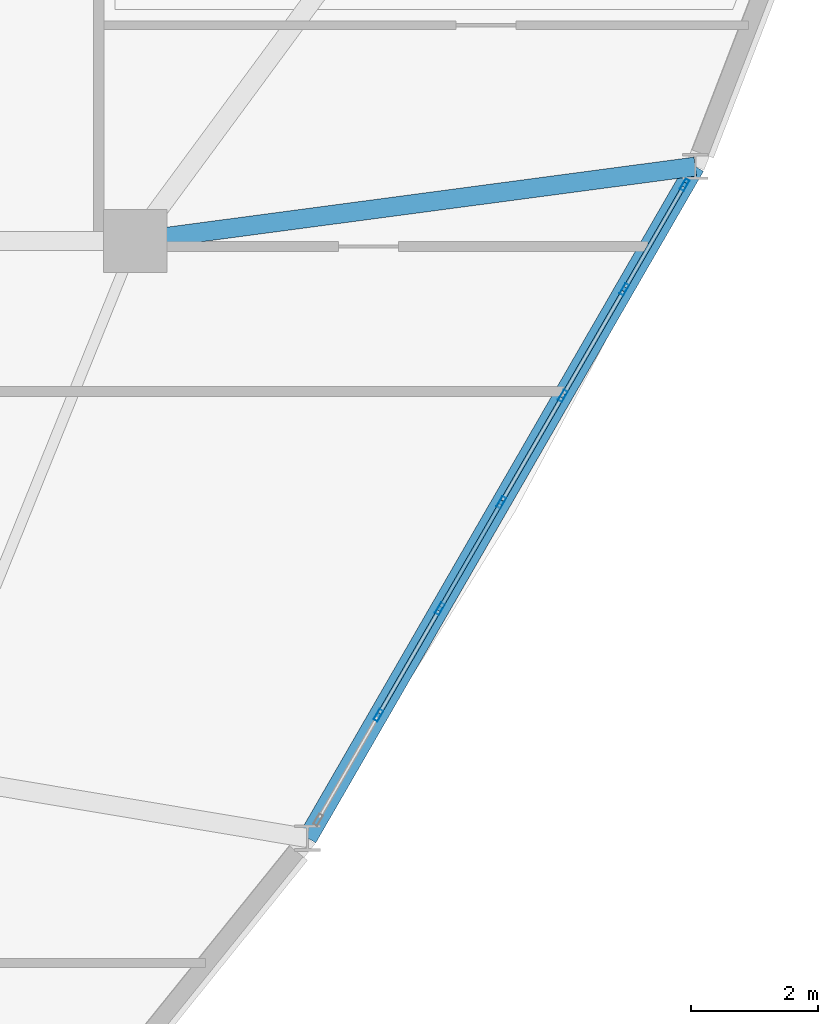
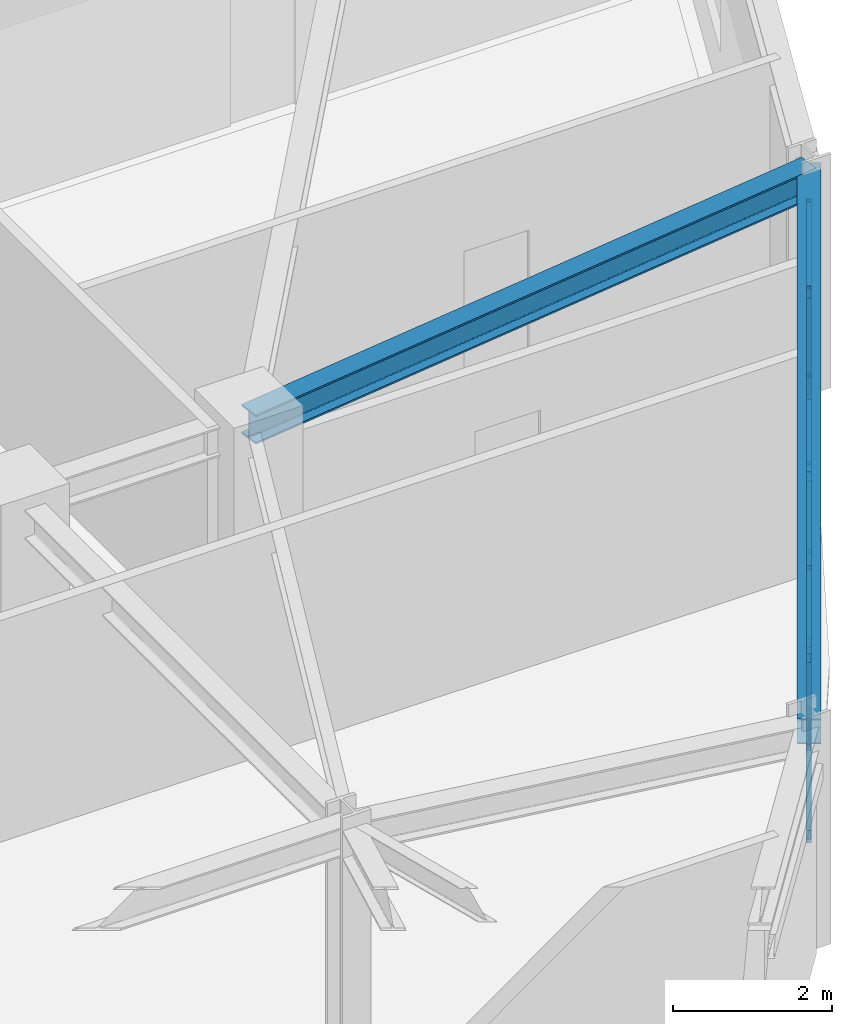
# One storey, part 7 of 16: 18 members, 2 beams, 1 element without a shape of its own.
"""IFC4 building model written with IfcOpenShell, lengths in metres."""

from ifc_helpers import new_model, si_unit, derived_unit, direction, frame, origin, origin_2d, place, context, subcontext, project, spatial, hollow_rectangle, i_section, extrude, source, transform, mapped, material, layer, layer_set, material_profile, profile_set, type_object, element, aggregate, save


model = new_model("IFC4")

# Units and contexts
model_context = context("Model", 3, precision=1e-05, world=origin(), true_north=direction((0.0, 1.0)))
body_context = subcontext(model_context, "Body", "Model", "MODEL_VIEW")
ifc_project = project(units=[si_unit("LENGTHUNIT", "METRE"), si_unit("AREAUNIT", "SQUARE_METRE"), si_unit("VOLUMEUNIT", "CUBIC_METRE"), si_unit("PLANEANGLEUNIT", "RADIAN"), si_unit("MASSUNIT", "GRAM", prefix="KILO"), derived_unit("THERMALTRANSMITTANCEUNIT", [(si_unit("POWERUNIT", "WATT"), 1), (si_unit("LENGTHUNIT", "METRE"), -2), (si_unit("THERMODYNAMICTEMPERATUREUNIT", "KELVIN"), -1)])], contexts=[model_context])

# Site, building, storey
site_placement = place(None, origin())
site = spatial("IfcSite", under=ifc_project, at=site_placement, CompositionType="ELEMENT")
building_placement = place(site_placement, origin())
building = spatial("IfcBuilding", under=site, at=building_placement, Name="Korsvarv Bourse and Concert Hall", CompositionType="ELEMENT")
storey_placement = place(building_placement, frame((0.0, 0.0, 220.199951171875)))
storey = spatial("IfcBuildingStorey", under=building, at=storey_placement, Name="L57", CompositionType="ELEMENT", Elevation=220.199951171875)

# Beams
ifc_material_1 = material(Name="Steel S355", Category="steel")
ifc_material_profile_1 = material_profile(ifc_material_1, i_section(OverallWidth=0.300048828125, OverallDepth=0.389892578125, WebThickness=0.010986328125, FlangeThickness=0.01904296875, FilletRadius=0.02099609375, at=origin_2d()), Name="HEA 400")
ifc_profile_set_1 = profile_set([ifc_material_profile_1], Name="Steel S355")
beam_type_1 = type_object("IfcBeamType", Name="BM-HEA400", PredefinedType="BEAM", material=ifc_profile_set_1)
shared_shape_1 = source(origin(), body_context, "Body", "SweptSolid", [
    extrude(i_section(OverallWidth=0.300048828125, OverallDepth=0.389892578125, WebThickness=0.010986328125, FlangeThickness=0.01904296875, FilletRadius=0.02099609375, at=origin_2d()), origin(), (0.0, 0.0, 1.0), 12.238037109375),
])
beam_1_placement = place(storey_placement, frame((50.5205078125, 22.975830078125, 3.215087890625), z_axis=(0.499994725302, 0.866028449111, 0.0), x_axis=(-0.866028449111, 0.499994725302, 0.0)))
element("IfcBeam", 1, at=beam_1_placement, inside=storey, type_object=beam_type_1, Name="L57 beam B-11", PredefinedType="BEAM", context=body_context, shape_type="MappedRepresentation", body=[
    mapped(shared_shape_1, transform((0.0, 0.0, 0.0), scale=1.0)),
])
ifc_material_profile_2 = material_profile(ifc_material_1, i_section(OverallWidth=0.300048828125, OverallDepth=0.449951171875, WebThickness=0.013916015625, FlangeThickness=0.02587890625, FilletRadius=0.02099609375, at=origin_2d()), Name="HEB 450")
ifc_profile_set_2 = profile_set([ifc_material_profile_2], Name="Steel S355")
beam_type_2 = type_object("IfcBeamType", Name="BM-HEB450", PredefinedType="SPANDREL", material=ifc_profile_set_2)
shared_shape_2 = source(origin(), body_context, "Body", "SweptSolid", [
    extrude(i_section(OverallWidth=0.300048828125, OverallDepth=0.449951171875, WebThickness=0.013916015625, FlangeThickness=0.02587890625, FilletRadius=0.02099609375, at=origin_2d()), origin(), (0.0, 0.0, 1.0), 8.9169921875),
])
beam_2_placement = place(storey_placement, frame((56.639404296875, 33.57421875, 3.18505859375), z_axis=(-0.99129043861, -0.131693835544, 0.0), x_axis=(0.131693835544, -0.99129043861, 0.0)))
element("IfcBeam", 2, at=beam_2_placement, inside=storey, type_object=beam_type_2, Name="L57 beam B-08", PredefinedType="SPANDREL", context=body_context, shape_type="MappedRepresentation", body=[
    mapped(shared_shape_2, transform((0.0, 0.0, 0.0), scale=1.0)),
])

# Curtain wall, members
ifc_material_2 = material(Name="Anodised aluminium and triple low-E glazing", Category="glass")
ifc_layer = layer(ifc_material_2, 0.199951171875)
ifc_layer_set = layer_set([ifc_layer], Name="Anodised aluminium and triple low-E glazing")
curtain_wall_type = type_object("IfcCurtainWallType", Name="CW-SYS-3", PredefinedType="NOTDEFINED", material=ifc_layer_set)
curtain_wall_placement = place(storey_placement, origin())
curtain_wall = element("IfcCurtainWall", 3, at=curtain_wall_placement, inside=storey, type_object=curtain_wall_type, Name="L57 CW3 curtain wall CW-L57-F11", PredefinedType="NOTDEFINED")
ifc_material_3 = material(Name="Extruded aluminium EN AW-6063 T66", Category="aluminium")
ifc_material_profile_3 = material_profile(ifc_material_3, hollow_rectangle(XDim=0.070068359375, YDim=0.18994140625, WallThickness=0.0048828125, at=origin_2d()), Name="ALU-M 70x190")
ifc_profile_set_3 = profile_set([ifc_material_profile_3], Name="Extruded aluminium EN AW-6063 T66")
member_type_1 = type_object("IfcMemberType", Name="CWM-190", PredefinedType="MULLION", material=ifc_profile_set_3)
shared_shape_3 = source(origin(), body_context, "Body", "SweptSolid", [
    extrude(hollow_rectangle(XDim=0.070068359375, YDim=0.18994140625, WallThickness=0.0048828125, at=origin_2d()), origin(), (0.0, 0.0, 1.0), 3.02001953125),
])
member_1_placement = place(storey_placement, frame((51.6396484375, 24.914306640625, 0.0), z_axis=(0.0, 0.0, 1.0), x_axis=(-0.866029815681, 0.499992358293, 0.0)))
member_1 = element("IfcMember", 4, at=member_1_placement, type_object=member_type_1, Name="CW3 mullion 2", PredefinedType="MULLION", context=body_context, shape_type="MappedRepresentation", body=[
    mapped(shared_shape_3, transform((0.0, 0.0, 0.0), scale=1.0)),
])
member_2_placement = place(storey_placement, frame((52.60986328125, 26.5947265625, 0.0), z_axis=(0.0, 0.0, 1.0), x_axis=(-0.866029815681, 0.499992358293, 0.0)))
member_2 = element("IfcMember", 5, at=member_2_placement, type_object=member_type_1, Name="CW3 mullion 3", PredefinedType="MULLION", context=body_context, shape_type="MappedRepresentation", body=[
    mapped(shared_shape_3, transform((0.0, 0.0, 0.0), scale=1.0)),
])
member_3_placement = place(storey_placement, frame((53.580078125, 28.275146484375, 0.0), z_axis=(0.0, 0.0, 1.0), x_axis=(-0.866029815681, 0.499992358293, 0.0)))
member_3 = element("IfcMember", 6, at=member_3_placement, type_object=member_type_1, Name="CW3 mullion 4", PredefinedType="MULLION", context=body_context, shape_type="MappedRepresentation", body=[
    mapped(shared_shape_3, transform((0.0, 0.0, 0.0), scale=1.0)),
])
member_4_placement = place(storey_placement, frame((54.55029296875, 29.955322265625, 0.0), z_axis=(0.0, 0.0, 1.0), x_axis=(-0.866029815681, 0.499992358293, 0.0)))
member_4 = element("IfcMember", 7, at=member_4_placement, type_object=member_type_1, Name="CW3 mullion 5", PredefinedType="MULLION", context=body_context, shape_type="MappedRepresentation", body=[
    mapped(shared_shape_3, transform((0.0, 0.0, 0.0), scale=1.0)),
])
member_5_placement = place(storey_placement, frame((55.520263671875, 31.6357421875, 0.0), z_axis=(0.0, 0.0, 1.0), x_axis=(-0.866029815681, 0.499992358293, 0.0)))
member_5 = element("IfcMember", 8, at=member_5_placement, type_object=member_type_1, Name="CW3 mullion 6", PredefinedType="MULLION", context=body_context, shape_type="MappedRepresentation", body=[
    mapped(shared_shape_3, transform((0.0, 0.0, 0.0), scale=1.0)),
])
member_6_placement = place(storey_placement, frame((56.472900390625, 33.285888671875, 0.0), z_axis=(0.0, 0.0, 1.0), x_axis=(-0.866029815681, 0.499992358293, 0.0)))
member_6 = element("IfcMember", 9, at=member_6_placement, type_object=member_type_1, Name="CW3 mullion 7", PredefinedType="MULLION", context=body_context, shape_type="MappedRepresentation", body=[
    mapped(shared_shape_3, transform((0.0, 0.0, 0.0), scale=1.0)),
])
ifc_material_profile_4 = material_profile(ifc_material_3, hollow_rectangle(XDim=0.06494140625, YDim=0.139892578125, WallThickness=0.00390625, at=origin_2d()), Name="ALU-T 65x140")
ifc_profile_set_4 = profile_set([ifc_material_profile_4], Name="Extruded aluminium EN AW-6063 T66")
member_type_2 = type_object("IfcMemberType", Name="CWT-140", PredefinedType="USERDEFINED", material=ifc_profile_set_4)
shared_shape_4 = source(origin(), body_context, "Body", "SweptSolid", [
    extrude(hollow_rectangle(XDim=0.06494140625, YDim=0.139892578125, WallThickness=0.00390625, at=origin_2d()), origin(), (0.0, 0.0, 1.0), 1.83544921875),
])
member_7_placement = place(storey_placement, frame((55.537841796875, 31.666015625, 0.032470703125), z_axis=(0.499987270552, 0.86603275301, 0.0), x_axis=(-0.86603275301, 0.499987270552, 0.0)))
member_7 = element("IfcMember", 10, at=member_7_placement, type_object=member_type_2, Name="CW3 transom 6.1", ObjectType="TRANSOM", PredefinedType="USERDEFINED", context=body_context, shape_type="MappedRepresentation", body=[
    mapped(shared_shape_4, transform((0.0, 0.0, 0.0), scale=1.0)),
])
member_8_placement = place(storey_placement, frame((55.537841796875, 31.666015625, 2.987548828125), z_axis=(0.499987270552, 0.86603275301, 0.0), x_axis=(-0.86603275301, 0.499987270552, 0.0)))
member_8 = element("IfcMember", 11, at=member_8_placement, type_object=member_type_2, Name="CW3 transom 6.2", ObjectType="TRANSOM", PredefinedType="USERDEFINED", context=body_context, shape_type="MappedRepresentation", body=[
    mapped(shared_shape_4, transform((0.0, 0.0, 0.0), scale=1.0)),
])
shared_shape_5 = source(origin(), body_context, "Body", "SweptSolid", [
    extrude(hollow_rectangle(XDim=0.06494140625, YDim=0.139892578125, WallThickness=0.00390625, at=origin_2d()), origin(), (0.0, 0.0, 1.0), 1.870361328125),
])
member_9_placement = place(storey_placement, frame((51.6572265625, 24.944580078125, 0.032470703125), z_axis=(0.499929606556, 0.866066041644, 0.0), x_axis=(-0.866066041644, 0.499929606556, 0.0)))
member_9 = element("IfcMember", 12, at=member_9_placement, type_object=member_type_2, Name="CW3 transom 2.1", ObjectType="TRANSOM", PredefinedType="USERDEFINED", context=body_context, shape_type="MappedRepresentation", body=[
    mapped(shared_shape_5, transform((0.0, 0.0, 0.0), scale=1.0)),
])
member_10_placement = place(storey_placement, frame((51.6572265625, 24.944580078125, 2.987548828125), z_axis=(0.499929606556, 0.866066041644, 0.0), x_axis=(-0.866066041644, 0.499929606556, 0.0)))
member_10 = element("IfcMember", 13, at=member_10_placement, type_object=member_type_2, Name="CW3 transom 2.2", ObjectType="TRANSOM", PredefinedType="USERDEFINED", context=body_context, shape_type="MappedRepresentation", body=[
    mapped(shared_shape_5, transform((0.0, 0.0, 0.0), scale=1.0)),
])
member_11_placement = place(storey_placement, frame((54.567626953125, 29.98583984375, 0.032470703125), z_axis=(0.500084028426, 0.865976884515, 0.0), x_axis=(-0.865976884515, 0.500084028426, 0.0)))
member_11 = element("IfcMember", 14, at=member_11_placement, type_object=member_type_2, Name="CW3 transom 5.1", ObjectType="TRANSOM", PredefinedType="USERDEFINED", context=body_context, shape_type="MappedRepresentation", body=[
    mapped(shared_shape_5, transform((0.0, 0.0, 0.0), scale=1.0)),
])
member_12_placement = place(storey_placement, frame((54.567626953125, 29.98583984375, 2.987548828125), z_axis=(0.500084028426, 0.865976884515, 0.0), x_axis=(-0.865976884515, 0.500084028426, 0.0)))
member_12 = element("IfcMember", 15, at=member_12_placement, type_object=member_type_2, Name="CW3 transom 5.2", ObjectType="TRANSOM", PredefinedType="USERDEFINED", context=body_context, shape_type="MappedRepresentation", body=[
    mapped(shared_shape_5, transform((0.0, 0.0, 0.0), scale=1.0)),
])
shared_shape_6 = source(origin(), body_context, "Body", "SweptSolid", [
    extrude(hollow_rectangle(XDim=0.06494140625, YDim=0.139892578125, WallThickness=0.00390625, at=origin_2d()), origin(), (0.0, 0.0, 1.0), 1.8701171875),
])
member_13_placement = place(storey_placement, frame((52.62744140625, 26.625, 0.032470703125), z_axis=(0.49998612769, 0.866033412818, 0.0), x_axis=(-0.866033412818, 0.49998612769, 0.0)))
member_13 = element("IfcMember", 16, at=member_13_placement, type_object=member_type_2, Name="CW3 transom 3.1", ObjectType="TRANSOM", PredefinedType="USERDEFINED", context=body_context, shape_type="MappedRepresentation", body=[
    mapped(shared_shape_6, transform((0.0, 0.0, 0.0), scale=1.0)),
])
member_14_placement = place(storey_placement, frame((52.62744140625, 26.625, 2.987548828125), z_axis=(0.49998612769, 0.866033412818, 0.0), x_axis=(-0.866033412818, 0.49998612769, 0.0)))
member_14 = element("IfcMember", 17, at=member_14_placement, type_object=member_type_2, Name="CW3 transom 3.2", ObjectType="TRANSOM", PredefinedType="USERDEFINED", context=body_context, shape_type="MappedRepresentation", body=[
    mapped(shared_shape_6, transform((0.0, 0.0, 0.0), scale=1.0)),
])
member_15_placement = place(storey_placement, frame((53.59765625, 28.305419921875, 0.032470703125), z_axis=(0.49998612769, 0.866033412818, 0.0), x_axis=(-0.866033412818, 0.49998612769, 0.0)))
member_15 = element("IfcMember", 18, at=member_15_placement, type_object=member_type_2, Name="CW3 transom 4.1", ObjectType="TRANSOM", PredefinedType="USERDEFINED", context=body_context, shape_type="MappedRepresentation", body=[
    mapped(shared_shape_6, transform((0.0, 0.0, 0.0), scale=1.0)),
])
member_16_placement = place(storey_placement, frame((53.59765625, 28.305419921875, 2.987548828125), z_axis=(0.49998612769, 0.866033412818, 0.0), x_axis=(-0.866033412818, 0.49998612769, 0.0)))
member_16 = element("IfcMember", 19, at=member_16_placement, type_object=member_type_2, Name="CW3 transom 4.2", ObjectType="TRANSOM", PredefinedType="USERDEFINED", context=body_context, shape_type="MappedRepresentation", body=[
    mapped(shared_shape_6, transform((0.0, 0.0, 0.0), scale=1.0)),
])
ifc_material_profile_5 = material_profile(ifc_material_3, hollow_rectangle(XDim=0.06494140625, YDim=0.1650390625, WallThickness=0.0048828125, at=origin_2d()), Name="ALU-M 65x165")
ifc_profile_set_5 = profile_set([ifc_material_profile_5], Name="Extruded aluminium EN AW-6063 T66")
member_type_3 = type_object("IfcMemberType", Name="CWM-165", PredefinedType="MULLION", material=ifc_profile_set_5)
shared_shape_7 = source(origin(), body_context, "Body", "SweptSolid", [
    extrude(hollow_rectangle(XDim=0.06494140625, YDim=0.1650390625, WallThickness=0.0048828125, at=origin_2d()), origin(), (0.0, 0.0, 1.0), 3.4423828125),
])
member_17_placement = place(storey_placement, frame((52.62744140625, 26.625, 0.06494140625), z_axis=(0.27162635549, 0.470488052826, 0.83955947684), x_axis=(-0.866033412818, 0.49998612769, 0.0)))
member_17 = element("IfcMember", 20, at=member_17_placement, type_object=member_type_3, Name="CW3 diagonal mullion 3", PredefinedType="MULLION", context=body_context, shape_type="MappedRepresentation", body=[
    mapped(shared_shape_7, transform((0.0, 0.0, 0.0), scale=1.0)),
])
shared_shape_8 = source(origin(), body_context, "Body", "SweptSolid", [
    extrude(hollow_rectangle(XDim=0.06494140625, YDim=0.1650390625, WallThickness=0.0048828125, at=origin_2d()), origin(), (0.0, 0.0, 1.0), 3.423828125),
])
member_18_placement = place(storey_placement, frame((56.45556640625, 33.255615234375, 0.06494140625), z_axis=(-0.268048086728, -0.464288665253, 0.844148244397), x_axis=(0.86603275301, -0.499987270552, 0.0)))
member_18 = element("IfcMember", 21, at=member_18_placement, type_object=member_type_3, Name="CW3 diagonal mullion 6", PredefinedType="MULLION", context=body_context, shape_type="MappedRepresentation", body=[
    mapped(shared_shape_8, transform((0.0, 0.0, 0.0), scale=1.0)),
])
aggregate(curtain_wall, [member_1, member_2, member_3, member_4, member_5, member_6, member_9, member_10, member_13, member_14, member_17, member_15, member_16, member_11, member_12, member_7, member_8, member_18])

save(model, "model.ifc")
